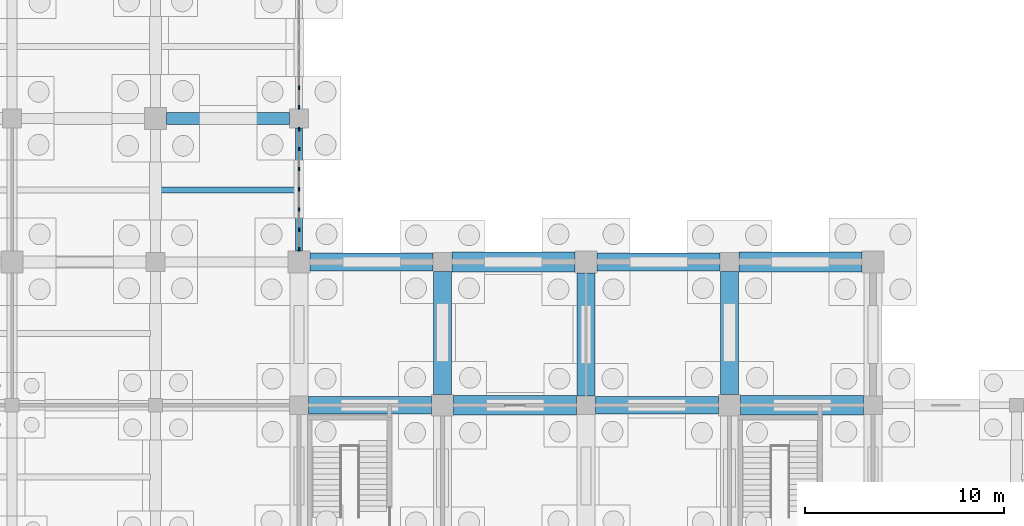
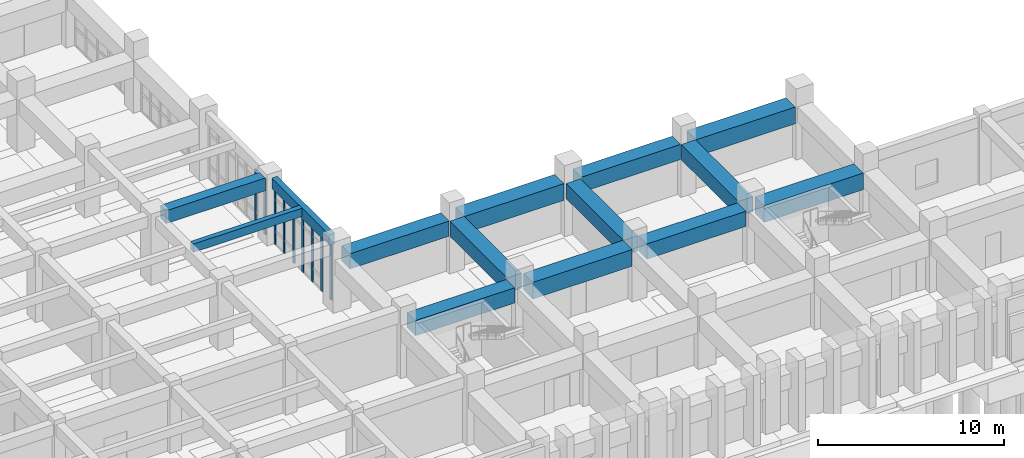
# One storey, part 18 of 79: 14 beams, 9 members, 2 elements without a shape of their own.
"""IFC4 building model written with IfcOpenShell, lengths in metres."""

from ifc_helpers import new_model, si_unit, direction, frame, origin, origin_2d, place, context, subcontext, project, spatial, rectangle, extrude, material, layer, layer_set, material_profile, profile_set, type_object, element, aggregate, save


model = new_model("IFC4")

# Units and contexts
model_context = context("Model", 3, precision=1e-05, world=origin(), true_north=direction((0.0, 1.0)))
body_context = subcontext(model_context, "Body", "Model", "MODEL_VIEW")
ifc_project = project(units=[si_unit("LENGTHUNIT", "METRE"), si_unit("AREAUNIT", "SQUARE_METRE"), si_unit("VOLUMEUNIT", "CUBIC_METRE"), si_unit("PLANEANGLEUNIT", "RADIAN"), si_unit("MASSUNIT", "GRAM", prefix="KILO")], contexts=[model_context])

# Site, building, storey
site_placement = place(None, origin())
site = spatial("IfcSite", under=ifc_project, at=site_placement, CompositionType="ELEMENT")
building_placement = place(site_placement, origin())
building = spatial("IfcBuilding", under=site, at=building_placement, Name="Kavelor Marine Aquarium", CompositionType="ELEMENT")
storey_placement = place(building_placement, origin())
storey = spatial("IfcBuildingStorey", under=building, at=storey_placement, Name="L00", CompositionType="ELEMENT", Elevation=0.0)

# Beams
ifc_material_1 = material(Name="Concrete C40/50", Category="concrete")
ifc_material_profile_1 = material_profile(ifc_material_1, rectangle(XDim=0.60009765625, YDim=0.85009765625, at=origin_2d()), Name="RC-BM 600x850")
ifc_profile_set_1 = profile_set([ifc_material_profile_1], Name="Concrete C40/50")
beam_type_1 = type_object("IfcBeamType", Name="BM-B1", PredefinedType="BEAM", material=ifc_profile_set_1)
beam_1_placement = place(storey_placement, frame((32.550048828125, 31.60009765625, 3.955078125), z_axis=(1.0, 0.0, 0.0), x_axis=(0.0, 1.0, 0.0)))
element("IfcBeam", 1, at=beam_1_placement, inside=storey, type_object=beam_type_1, Name="bm:x:L00:L01:04_04", PredefinedType="BEAM", context=body_context, shape_type="SweptSolid", body=[
    extrude(rectangle(XDim=0.60009765625, YDim=0.85009765625, at=origin_2d()), origin(), (0.0, 0.0, 1.0), 6.175048828125),
])
ifc_material_2 = material(Name="Concrete C40/50", Category="concrete")
ifc_material_profile_2 = material_profile(ifc_material_2, rectangle(XDim=0.300048828125, YDim=0.550048828125, at=origin_2d()), Name="RC-JS 300x550")
ifc_profile_set_2 = profile_set([ifc_material_profile_2], Name="Concrete C40/50")
beam_type_2 = type_object("IfcBeamType", Name="BM-JS2", PredefinedType="JOIST", material=ifc_profile_set_2)
beam_2_placement = place(storey_placement, frame((32.25, 28.0, 4.10498046875), z_axis=(1.0, 0.0, 0.0), x_axis=(0.0, 1.0, 0.0)))
element("IfcBeam", 2, at=beam_2_placement, inside=storey, type_object=beam_type_2, Name="js:L00:L01:04_03", PredefinedType="JOIST", context=body_context, shape_type="SweptSolid", body=[
    extrude(rectangle(XDim=0.300048828125, YDim=0.550048828125, at=origin_2d()), origin(), (0.0, 0.0, 1.0), 6.77490234375),
])
ifc_material_3 = material(Name="Concrete C40/50", Category="concrete")
ifc_material_profile_3 = material_profile(ifc_material_3, rectangle(XDim=0.35009765625, YDim=0.699951171875, at=origin_2d()), Name="RC-SP 350x700")
ifc_profile_set_3 = profile_set([ifc_material_profile_3], Name="Concrete C40/50")
beam_type_3 = type_object("IfcBeamType", Name="BM-SP1", PredefinedType="SPANDREL", material=ifc_profile_set_3)
beam_3_placement = place(storey_placement, frame((39.199951171875, 24.949951171875, 4.030029296875), z_axis=(0.0, 1.0, 0.0), x_axis=(-1.0, 0.0, 0.0)))
element("IfcBeam", 3, at=beam_3_placement, inside=storey, type_object=beam_type_3, Name="bm:y:L00:L01:05_03", PredefinedType="SPANDREL", context=body_context, shape_type="SweptSolid", body=[
    extrude(rectangle(XDim=0.35009765625, YDim=0.699951171875, at=origin_2d()), origin(), (0.0, 0.0, 1.0), 6.175048828125),
])
ifc_material_4 = material(Name="Concrete C45/55", Category="concrete")
ifc_material_profile_4 = material_profile(ifc_material_4, rectangle(XDim=1.0, YDim=1.10009765625, at=origin_2d()), Name="RC-TG 1000x1100")
ifc_profile_set_4 = profile_set([ifc_material_profile_4], Name="Concrete C45/55")
beam_type_4 = type_object("IfcBeamType", Name="BM-TG1", PredefinedType="BEAM", material=ifc_profile_set_4)
for number, where, z_axis, x_axis, name in (
    (4, (46.949951171875, 17.199951171875, 2.929931640625), (1.0, 0.0, 0.0), (0.0, 1.0, 0.0), "bm:x:L00:L01:06_02"),
    (5, (46.875, 24.39990234375, 2.929931640625), (1.0, 0.0, 0.0), (0.0, 1.0, 0.0), "bm:x:L00:L01:06_03"),
):
    element("IfcBeam", number, at=place(storey_placement, frame(where, z_axis=z_axis, x_axis=x_axis)), inside=storey, type_object=beam_type_4, Name=name, PredefinedType="BEAM", context=body_context, shape_type="SweptSolid", body=[
        extrude(rectangle(XDim=1.0, YDim=1.10009765625, at=origin_2d()), origin(), (0.0, 0.0, 1.0), 6.175048828125),
    ])
beam_4_placement = place(storey_placement, frame((61.35009765625, 17.199951171875, 2.929931640625), z_axis=(1.0, 0.0, 0.0), x_axis=(0.0, 1.0, 0.0)))
element("IfcBeam", 6, at=beam_4_placement, inside=storey, type_object=beam_type_4, Name="bm:x:L00:L01:08_02", PredefinedType="BEAM", context=body_context, shape_type="SweptSolid", body=[
    extrude(rectangle(XDim=1.0, YDim=1.10009765625, at=origin_2d()), origin(), (0.0, 0.0, 1.0), 6.1748046875),
])
beam_5_placement = place(storey_placement, frame((61.27490234375, 24.39990234375, 2.929931640625), z_axis=(1.0, 0.0, 0.0), x_axis=(0.0, 1.0, 0.0)))
element("IfcBeam", 7, at=beam_5_placement, inside=storey, type_object=beam_type_4, Name="bm:x:L00:L01:08_03", PredefinedType="BEAM", context=body_context, shape_type="SweptSolid", body=[
    extrude(rectangle(XDim=1.0, YDim=1.10009765625, at=origin_2d()), origin(), (0.0, 0.0, 1.0), 6.175048828125),
])
ifc_material_5 = material(Name="Concrete C45/55", Category="concrete")
ifc_material_profile_5 = material_profile(ifc_material_5, rectangle(XDim=0.89990234375, YDim=1.0, at=origin_2d()), Name="RC-TG 900x1000")
ifc_profile_set_5 = profile_set([ifc_material_profile_5], Name="Concrete C45/55")
beam_type_5 = type_object("IfcBeamType", Name="BM-TG2", PredefinedType="BEAM", material=ifc_profile_set_5)
for number, where, z_axis, x_axis, name in (
    (8, (39.675048828125, 17.199951171875, 2.97998046875), (1.0, 0.0, 0.0), (0.0, 1.0, 0.0), "bm:x:L00:L01:05_02"),
    (9, (39.75, 24.39990234375, 2.97998046875), (1.0, 0.0, 0.0), (0.0, 1.0, 0.0), "bm:x:L00:L01:05_03"),
    (10, (54.074951171875, 17.199951171875, 2.97998046875), (1.0, 0.0, 0.0), (0.0, 1.0, 0.0), "bm:x:L00:L01:07_02"),
    (11, (54.14990234375, 24.39990234375, 2.97998046875), (1.0, 0.0, 0.0), (0.0, 1.0, 0.0), "bm:x:L00:L01:07_03"),
    (12, (46.39990234375, 17.75, 2.97998046875), (0.0, 1.0, 0.0), (-1.0, 0.0, 0.0), "bm:y:L00:L01:06_02"),
    (13, (53.60009765625, 17.675048828125, 2.97998046875), (0.0, 1.0, 0.0), (-1.0, 0.0, 0.0), "bm:y:L00:L01:07_02"),
    (14, (60.800048828125, 17.75, 2.97998046875), (0.0, 1.0, 0.0), (-1.0, 0.0, 0.0), "bm:y:L00:L01:08_02"),
):
    element("IfcBeam", number, at=place(storey_placement, frame(where, z_axis=z_axis, x_axis=x_axis)), inside=storey, type_object=beam_type_5, Name=name, PredefinedType="BEAM", context=body_context, shape_type="SweptSolid", body=[
        extrude(rectangle(XDim=0.89990234375, YDim=1.0, at=origin_2d()), origin(), (0.0, 0.0, 1.0), 6.175048828125),
    ])

# Curtain wall, members
ifc_material_6 = material(Name="Thermally Broken Aluminium and Low-E Glass", Category="aluminium")
ifc_layer_1 = layer(ifc_material_6, 0.156005859375)
ifc_layer_set_1 = layer_set([ifc_layer_1], Name="CW-SYS2")
curtain_wall_type_1 = type_object("IfcCurtainWallType", Name="CW-SYS2", PredefinedType="USERDEFINED", material=ifc_layer_set_1)
curtain_wall_1_placement = place(storey_placement, origin())
curtain_wall_1 = element("IfcCurtainWall", 15, at=curtain_wall_1_placement, inside=storey, type_object=curtain_wall_type_1, Name="cw:y:L00:05_03", ObjectType="Curtain Wall", PredefinedType="USERDEFINED")
ifc_material_7 = material(Name="Anodised Aluminium Alloy 6063-T6", Category="aluminium")
ifc_material_profile_6 = material_profile(ifc_material_7, rectangle(XDim=0.080078125, YDim=0.18505859375, at=origin_2d()), Name="CW-MUL 80x185")
ifc_profile_set_6 = profile_set([ifc_material_profile_6], Name="Anodised Aluminium Alloy 6063-T6")
member_type_1 = type_object("IfcMemberType", Name="CWM-2", PredefinedType="MULLION", material=ifc_profile_set_6)
member_1_placement = place(storey_placement, frame((39.199951171875, 25.027587890625, 0.0), z_axis=(0.0, 0.0, 1.0), x_axis=(-1.0, 0.0, 0.0)))
member_1 = element("IfcMember", 16, at=member_1_placement, type_object=member_type_1, Name="CW02 mullion 1", PredefinedType="MULLION", context=body_context, shape_type="SweptSolid", body=[
    extrude(rectangle(XDim=0.080078125, YDim=0.18505859375, at=origin_2d()), origin(), (0.0, 0.0, 1.0), 3.669921875),
])
member_2_placement = place(storey_placement, frame((39.199951171875, 26.00927734375, 0.0), z_axis=(0.0, 0.0, 1.0), x_axis=(-1.0, 0.0, 0.0)))
member_2 = element("IfcMember", 17, at=member_2_placement, type_object=member_type_1, Name="CW02 mullion 2", PredefinedType="MULLION", context=body_context, shape_type="SweptSolid", body=[
    extrude(rectangle(XDim=0.080078125, YDim=0.18505859375, at=origin_2d()), origin(), (0.0, 0.0, 1.0), 3.669921875),
])
member_3_placement = place(storey_placement, frame((39.199951171875, 27.0234375, 0.0), z_axis=(0.0, 0.0, 1.0), x_axis=(-1.0, 0.0, 0.0)))
member_3 = element("IfcMember", 18, at=member_3_placement, type_object=member_type_1, Name="CW02 mullion 3", PredefinedType="MULLION", context=body_context, shape_type="SweptSolid", body=[
    extrude(rectangle(XDim=0.080078125, YDim=0.18505859375, at=origin_2d()), origin(), (0.0, 0.0, 1.0), 3.669921875),
])
member_4_placement = place(storey_placement, frame((39.199951171875, 28.03759765625, 0.0), z_axis=(0.0, 0.0, 1.0), x_axis=(-1.0, 0.0, 0.0)))
member_4 = element("IfcMember", 19, at=member_4_placement, type_object=member_type_1, Name="CW02 mullion 4", PredefinedType="MULLION", context=body_context, shape_type="SweptSolid", body=[
    extrude(rectangle(XDim=0.080078125, YDim=0.18505859375, at=origin_2d()), origin(), (0.0, 0.0, 1.0), 3.669921875),
])
member_5_placement = place(storey_placement, frame((39.199951171875, 29.0517578125, 0.0), z_axis=(0.0, 0.0, 1.0), x_axis=(-1.0, 0.0, 0.0)))
member_5 = element("IfcMember", 20, at=member_5_placement, type_object=member_type_1, Name="CW02 mullion 5", PredefinedType="MULLION", context=body_context, shape_type="SweptSolid", body=[
    extrude(rectangle(XDim=0.080078125, YDim=0.18505859375, at=origin_2d()), origin(), (0.0, 0.0, 1.0), 3.669921875),
])
member_6_placement = place(storey_placement, frame((39.199951171875, 30.06591796875, 0.0), z_axis=(0.0, 0.0, 1.0), x_axis=(-1.0, 0.0, 0.0)))
member_6 = element("IfcMember", 21, at=member_6_placement, type_object=member_type_1, Name="CW02 mullion 6", PredefinedType="MULLION", context=body_context, shape_type="SweptSolid", body=[
    extrude(rectangle(XDim=0.080078125, YDim=0.18505859375, at=origin_2d()), origin(), (0.0, 0.0, 1.0), 3.669921875),
])
member_7_placement = place(storey_placement, frame((39.199951171875, 31.047607421875, 0.0), z_axis=(0.0, 0.0, 1.0), x_axis=(-1.0, 0.0, 0.0)))
member_7 = element("IfcMember", 22, at=member_7_placement, type_object=member_type_1, Name="CW02 mullion 7", PredefinedType="MULLION", context=body_context, shape_type="SweptSolid", body=[
    extrude(rectangle(XDim=0.080078125, YDim=0.18505859375, at=origin_2d()), origin(), (0.0, 0.0, 1.0), 3.669921875),
])
aggregate(curtain_wall_1, [member_1, member_2, member_3, member_4, member_5, member_6, member_7])

ifc_material_8 = material(Name="Thermally Broken Aluminium and Low-E Glass", Category="aluminium")
ifc_layer_2 = layer(ifc_material_8, 0.1640625)
ifc_layer_set_2 = layer_set([ifc_layer_2], Name="CW-SYS3")
curtain_wall_type_2 = type_object("IfcCurtainWallType", Name="CW-SYS3", PredefinedType="USERDEFINED", material=ifc_layer_set_2)
curtain_wall_2_placement = place(storey_placement, origin())
curtain_wall_2 = element("IfcCurtainWall", 23, at=curtain_wall_2_placement, inside=storey, type_object=curtain_wall_type_2, Name="cw:y:L00:05_04", ObjectType="Curtain Wall", PredefinedType="USERDEFINED")
ifc_material_9 = material(Name="Anodised Aluminium Alloy 6063-T6", Category="aluminium")
ifc_material_profile_7 = material_profile(ifc_material_9, rectangle(XDim=0.0849609375, YDim=0.18994140625, at=origin_2d()), Name="CW-MUL 85x190")
ifc_profile_set_7 = profile_set([ifc_material_profile_7], Name="Anodised Aluminium Alloy 6063-T6")
member_type_2 = type_object("IfcMemberType", Name="CWM-3", PredefinedType="MULLION", material=ifc_profile_set_7)
member_8_placement = place(storey_placement, frame((39.199951171875, 32.14990234375, 0.0), z_axis=(0.0, 0.0, 1.0), x_axis=(-1.0, 0.0, 0.0)))
member_8 = element("IfcMember", 24, at=member_8_placement, type_object=member_type_2, Name="CW03 mullion 1", PredefinedType="MULLION", context=body_context, shape_type="SweptSolid", body=[
    extrude(rectangle(XDim=0.0849609375, YDim=0.18994140625, at=origin_2d()), origin(), (0.0, 0.0, 1.0), 3.669921875),
])
member_9_placement = place(storey_placement, frame((39.199951171875, 33.13427734375, 0.0), z_axis=(0.0, 0.0, 1.0), x_axis=(-1.0, 0.0, 0.0)))
member_9 = element("IfcMember", 25, at=member_9_placement, type_object=member_type_2, Name="CW03 mullion 2", PredefinedType="MULLION", context=body_context, shape_type="SweptSolid", body=[
    extrude(rectangle(XDim=0.0849609375, YDim=0.18994140625, at=origin_2d()), origin(), (0.0, 0.0, 1.0), 3.669921875),
])
aggregate(curtain_wall_2, [member_8, member_9])

save(model, "model.ifc")
